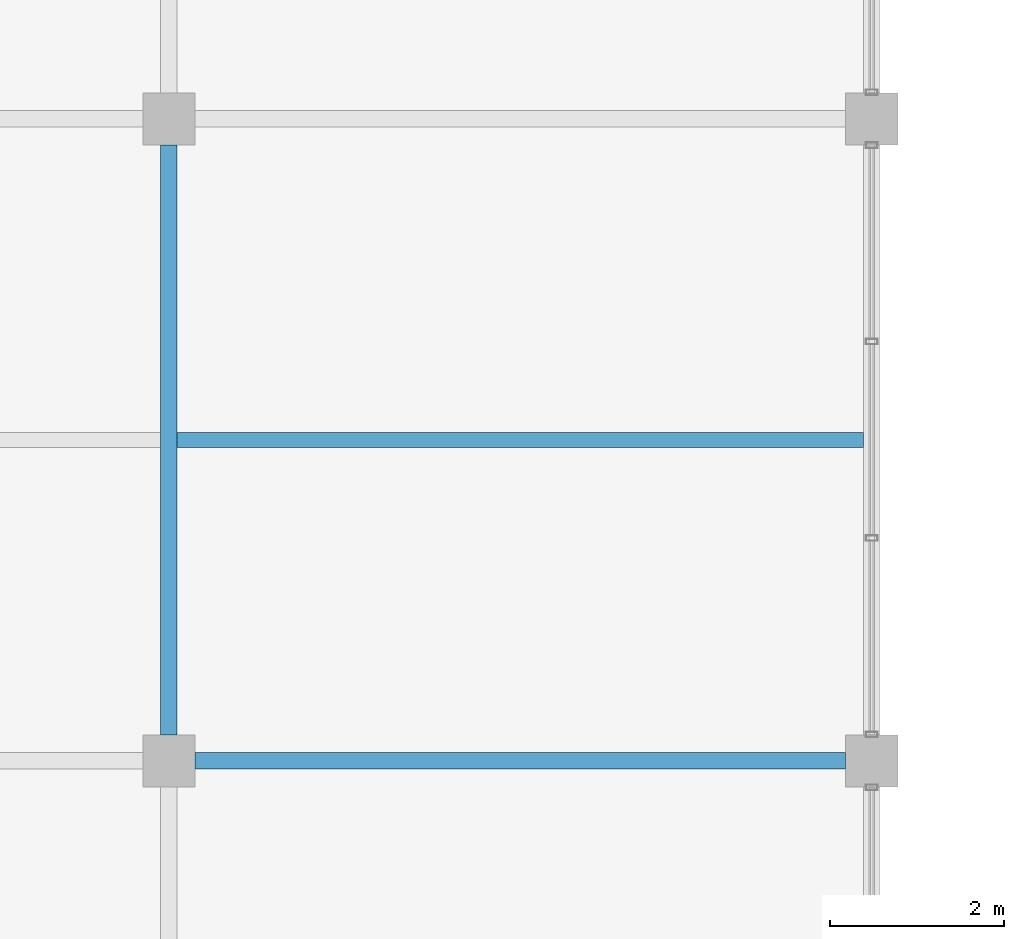
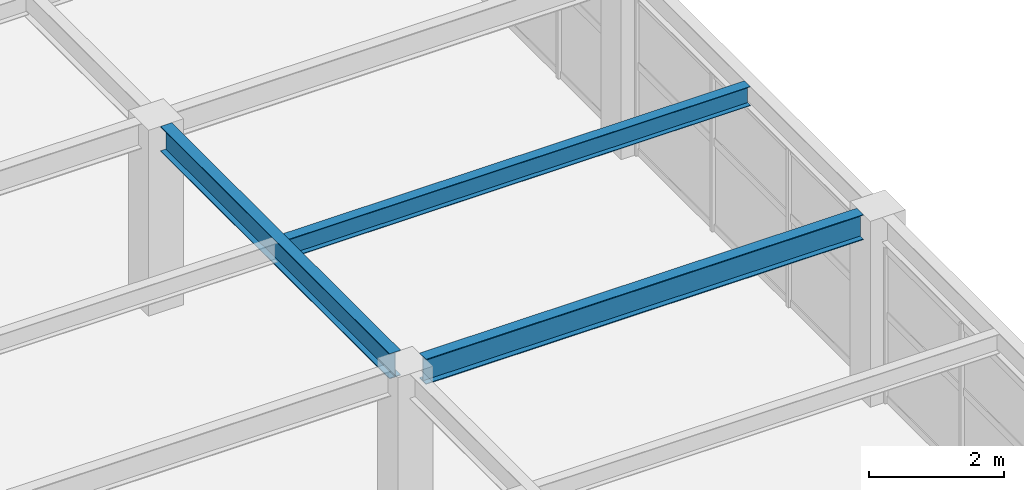
# One storey, part 47 of 121: 3 beams.
"""IFC4 building model written with IfcOpenShell, lengths in metres."""

from ifc_helpers import new_model, si_unit, direction, frame, origin, origin_2d, place, context, subcontext, project, spatial, i_section, extrude, material, material_profile, profile_set, type_object, element, save


model = new_model("IFC4")

# Units and contexts
model_context = context("Model", 3, precision=1e-05, world=origin(), true_north=direction((0.0, 1.0)))
body_context = subcontext(model_context, "Body", "Model", "MODEL_VIEW")
ifc_project = project(units=[si_unit("LENGTHUNIT", "METRE"), si_unit("AREAUNIT", "SQUARE_METRE"), si_unit("VOLUMEUNIT", "CUBIC_METRE"), si_unit("PLANEANGLEUNIT", "RADIAN"), si_unit("MASSUNIT", "GRAM", prefix="KILO")], contexts=[model_context])

# Site, building, storey
site_placement = place(None, origin())
site = spatial("IfcSite", under=ifc_project, at=site_placement, CompositionType="ELEMENT")
building_placement = place(site_placement, origin())
building = spatial("IfcBuilding", under=site, at=building_placement, Name="Cimatlan Art Gallery", CompositionType="ELEMENT")
storey_placement = place(building_placement, frame((0.0, 0.0, 10.199951171875)))
storey = spatial("IfcBuildingStorey", under=building, at=storey_placement, Name="L02", CompositionType="ELEMENT", Elevation=10.199951171875)

# Beams
ifc_material = material(Name="Steel ASTM A992 Grade 50", Category="steel")
ifc_material_profile_1 = material_profile(ifc_material, i_section(OverallWidth=0.1708984375, OverallDepth=0.35107421875, WebThickness=0.0068359375, FlangeThickness=0.009765625, at=origin_2d()), Name="W14X30")
ifc_profile_set_1 = profile_set([ifc_material_profile_1], Name="Steel ASTM A992 Grade 50")
beam_type_1 = type_object("IfcBeamType", Name="BM-STL-W14X30", PredefinedType="JOIST", material=ifc_profile_set_1)
beam_1_placement = place(storey_placement, frame((42.595458984375, 72.0, 3.194580078125), z_axis=(1.0, 0.0, 0.0), x_axis=(0.0, 1.0, 0.0)))
element("IfcBeam", 1, at=beam_1_placement, inside=storey, type_object=beam_type_1, Name="JST-L02-05-09", PredefinedType="JOIST", context=body_context, shape_type="SweptSolid", body=[
    extrude(i_section(OverallWidth=0.1708984375, OverallDepth=0.35107421875, WebThickness=0.0068359375, FlangeThickness=0.009765625, at=origin_2d()), origin(), (0.0, 0.0, 1.0), 7.908935546875),
])
ifc_material_profile_2 = material_profile(ifc_material, i_section(OverallWidth=0.19091796875, OverallDepth=0.45703125, WebThickness=0.009033203125, FlangeThickness=0.014404296875, at=origin_2d()), Name="W18X50")
ifc_profile_set_2 = profile_set([ifc_material_profile_2], Name="Steel ASTM A992 Grade 50")
beam_type_2 = type_object("IfcBeamType", Name="BM-STL-W18X50", PredefinedType="BEAM", material=ifc_profile_set_2)
beam_2_placement = place(storey_placement, frame((42.5, 68.60009765625, 3.1416015625), z_axis=(0.0, 1.0, 0.0), x_axis=(-1.0, 0.0, 0.0)))
element("IfcBeam", 2, at=beam_2_placement, inside=storey, type_object=beam_type_2, Name="BM-Y-L02-05-09", PredefinedType="BEAM", context=body_context, shape_type="SweptSolid", body=[
    extrude(i_section(OverallWidth=0.19091796875, OverallDepth=0.45703125, WebThickness=0.009033203125, FlangeThickness=0.014404296875, at=origin_2d()), origin(), (0.0, 0.0, 1.0), 6.7998046875),
])
beam_3_placement = place(storey_placement, frame((42.800048828125, 68.300048828125, 3.1416015625), z_axis=(1.0, 0.0, 0.0), x_axis=(0.0, 1.0, 0.0)))
element("IfcBeam", 3, at=beam_3_placement, inside=storey, type_object=beam_type_2, Name="BM-X-L02-05-09", PredefinedType="BEAM", context=body_context, shape_type="SweptSolid", body=[
    extrude(i_section(OverallWidth=0.19091796875, OverallDepth=0.45703125, WebThickness=0.009033203125, FlangeThickness=0.014404296875, at=origin_2d()), origin(), (0.0, 0.0, 1.0), 7.5),
])

save(model, "model.ifc")
